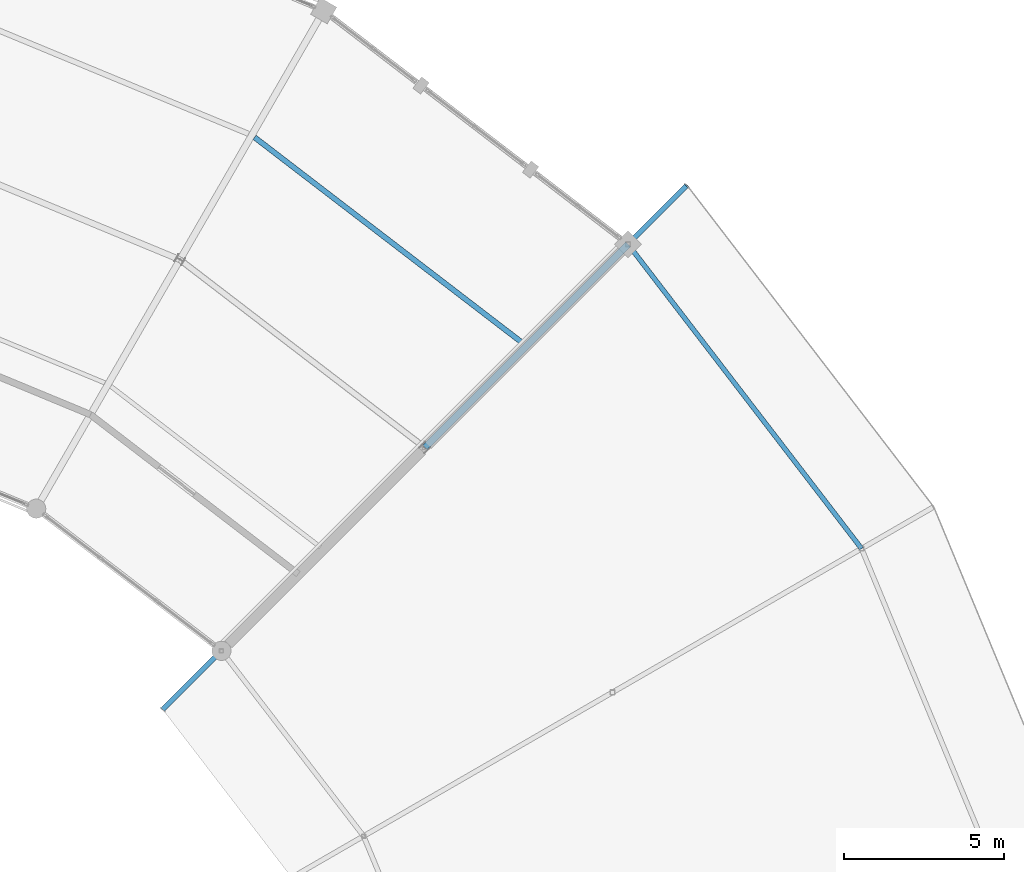
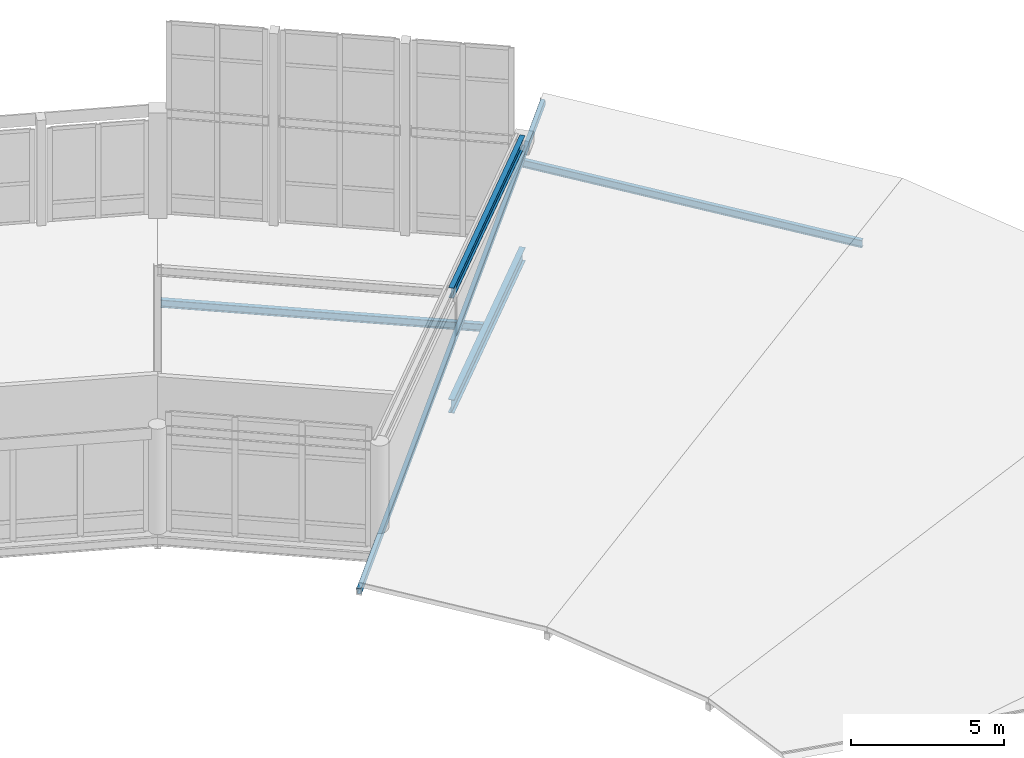
# One storey, part 123 of 200: 4 beams, 1 member.
"""IFC4 building model written with IfcOpenShell, lengths in metres."""

from ifc_helpers import new_model, si_unit, direction, frame, origin, origin_2d, place, context, subcontext, project, spatial, hollow_rectangle, i_section, extrude, material, material_profile, profile_set, type_object, element, save


model = new_model("IFC4")

# Units and contexts
model_context = context("Model", 3, precision=1e-05, world=origin(), true_north=direction((0.0, 1.0)))
body_context = subcontext(model_context, "Body", "Model", "MODEL_VIEW")
ifc_project = project(units=[si_unit("LENGTHUNIT", "METRE"), si_unit("AREAUNIT", "SQUARE_METRE"), si_unit("VOLUMEUNIT", "CUBIC_METRE"), si_unit("PLANEANGLEUNIT", "RADIAN"), si_unit("MASSUNIT", "GRAM", prefix="KILO")], contexts=[model_context])

# Site, building, storey
site_placement = place(None, origin())
site = spatial("IfcSite", under=ifc_project, at=site_placement, CompositionType="ELEMENT")
building_placement = place(site_placement, origin())
building = spatial("IfcBuilding", under=site, at=building_placement, Name="Vondelvale Polytechnic", CompositionType="ELEMENT")
storey_placement = place(building_placement, frame((0.0, 0.0, 13.800048828125)))
storey = spatial("IfcBuildingStorey", under=building, at=storey_placement, Name="L03", CompositionType="ELEMENT", Elevation=13.800048828125)

# Beams
ifc_material_1 = material(Name="Steel 300PLUS (fy = 300 MPa)", Category="steel")
ifc_material_profile_1 = material_profile(ifc_material_1, i_section(OverallWidth=0.14892578125, OverallDepth=0.298095703125, WebThickness=0.005615234375, FlangeThickness=0.008056640625, FilletRadius=0.011474609375, at=origin_2d()), Name="310UB32.0")
ifc_profile_set_1 = profile_set([ifc_material_profile_1], Name="Steel 300PLUS (fy = 300 MPa)")
beam_type_1 = type_object("IfcBeamType", Name="BM-UB310L", PredefinedType="BEAM", material=ifc_profile_set_1)
beam_1_placement = place(storey_placement, frame((141.837158203125, 95.0, 3.11083984375), z_axis=(-0.608766116008, 0.793349743808, 0.0), x_axis=(-0.793349743808, -0.608766116008, 0.0)))
element("IfcBeam", 1, at=beam_1_placement, inside=storey, type_object=beam_type_1, Name="L03 RE B-25", PredefinedType="BEAM", context=body_context, shape_type="SweptSolid", body=[
    extrude(i_section(OverallWidth=0.14892578125, OverallDepth=0.298095703125, WebThickness=0.005615234375, FlangeThickness=0.008056640625, FilletRadius=0.011474609375, at=origin_2d()), origin(), (0.0, 0.0, 1.0), 12.00830078125),
])
ifc_material_profile_2 = material_profile(ifc_material_1, i_section(OverallWidth=0.177978515625, OverallDepth=0.403076171875, WebThickness=0.007568359375, FlangeThickness=0.010986328125, FilletRadius=0.011474609375, at=origin_2d()), Name="410UB53.7")
ifc_profile_set_2 = profile_set([ifc_material_profile_2], Name="Steel 300PLUS (fy = 300 MPa)")
beam_type_2 = type_object("IfcBeamType", Name="BM-UB410L", PredefinedType="BEAM", material=ifc_profile_set_2)
beam_2_placement = place(storey_placement, frame((128.1630859375, 98.1630859375, 3.99853515625), z_axis=(0.707106781187, 0.707106781187, 0.0), x_axis=(-0.707106781187, 0.707106781187, 0.0)))
element("IfcBeam", 2, at=beam_2_placement, inside=storey, type_object=beam_type_2, Name="L03 REG B-23", PredefinedType="BEAM", context=body_context, shape_type="SweptSolid", body=[
    extrude(i_section(OverallWidth=0.177978515625, OverallDepth=0.403076171875, WebThickness=0.007568359375, FlangeThickness=0.010986328125, FilletRadius=0.011474609375, at=origin_2d()), origin(), (0.0, 0.0, 1.0), 8.999755859375),
])
ifc_material_profile_3 = material_profile(ifc_material_1, i_section(OverallWidth=0.208984375, OverallDepth=0.532958984375, WebThickness=0.01025390625, FlangeThickness=0.015625, FilletRadius=0.013916015625, at=origin_2d()), Name="530UB92.4")
ifc_profile_set_3 = profile_set([ifc_material_profile_3], Name="Steel 300PLUS (fy = 300 MPa)")
beam_type_3 = type_object("IfcBeamType", Name="BM-UB530", PredefinedType="BEAM", material=ifc_profile_set_3)
beam_3_placement = place(storey_placement, frame((128.1630859375, 98.1630859375, -0.5166015625), z_axis=(0.707106781187, 0.707106781187, 0.0), x_axis=(-0.707106781187, 0.707106781187, 0.0)))
element("IfcBeam", 3, at=beam_3_placement, inside=storey, type_object=beam_type_3, Name="L03 RG B-11", PredefinedType="BEAM", context=body_context, shape_type="SweptSolid", body=[
    extrude(i_section(OverallWidth=0.208984375, OverallDepth=0.532958984375, WebThickness=0.01025390625, FlangeThickness=0.015625, FilletRadius=0.013916015625, at=origin_2d()), origin(), (0.0, 0.0, 1.0), 8.999755859375),
])
ifc_material_profile_4 = material_profile(ifc_material_1, i_section(OverallWidth=0.1650390625, OverallDepth=0.303955078125, WebThickness=0.006103515625, FlangeThickness=0.01025390625, FilletRadius=0.011474609375, at=origin_2d()), Name="310UB40.4")
ifc_profile_set_4 = profile_set([ifc_material_profile_4], Name="Steel 300PLUS (fy = 300 MPa)")
beam_type_4 = type_object("IfcBeamType", Name="JST-UB310", PredefinedType="JOIST", material=ifc_profile_set_4)
beam_4_placement = place(storey_placement, frame((131.257568359375, 101.411865234375, -0.402099609375), z_axis=(-0.793346013368, 0.608770977523, 0.0), x_axis=(-0.608770977523, -0.793346013368, 0.0)))
element("IfcBeam", 4, at=beam_4_placement, inside=storey, type_object=beam_type_4, Name="L03 RJ J-05", PredefinedType="JOIST", context=body_context, shape_type="SweptSolid", body=[
    extrude(i_section(OverallWidth=0.1650390625, OverallDepth=0.303955078125, WebThickness=0.006103515625, FlangeThickness=0.01025390625, FilletRadius=0.011474609375, at=origin_2d()), origin(), (0.0, 0.0, 1.0), 10.613525390625),
])

# Member
ifc_material_2 = material(Name="Steel C350L0 (fy = 350 MPa)", Category="steel")
ifc_material_profile_5 = material_profile(ifc_material_2, hollow_rectangle(XDim=0.14990234375, YDim=0.25, WallThickness=0.006103515625, at=origin_2d()), Name="250x150x6.0RHS")
ifc_profile_set_5 = profile_set([ifc_material_profile_5], Name="Steel C350L0 (fy = 350 MPa)")
member_type = type_object("IfcMemberType", Name="RAFTER RHS250", PredefinedType="RAFTER", material=ifc_profile_set_5)
member_placement = place(storey_placement, frame((136.365478515625, 106.365478515625, 3.765625), z_axis=(-0.697808205371, -0.697808205371, -0.161639775528), x_axis=(0.707106781187, -0.707106781187, 0.0)))
element("IfcMember", 5, at=member_placement, inside=storey, type_object=member_type, Name="Ring step inward-sloping rafter 02", PredefinedType="RAFTER", context=body_context, shape_type="SweptSolid", body=[
    extrude(hollow_rectangle(XDim=0.14990234375, YDim=0.25, WallThickness=0.006103515625, at=origin_2d()), origin(), (0.0, 0.0, 1.0), 23.50927734375),
])

save(model, "model.ifc")
